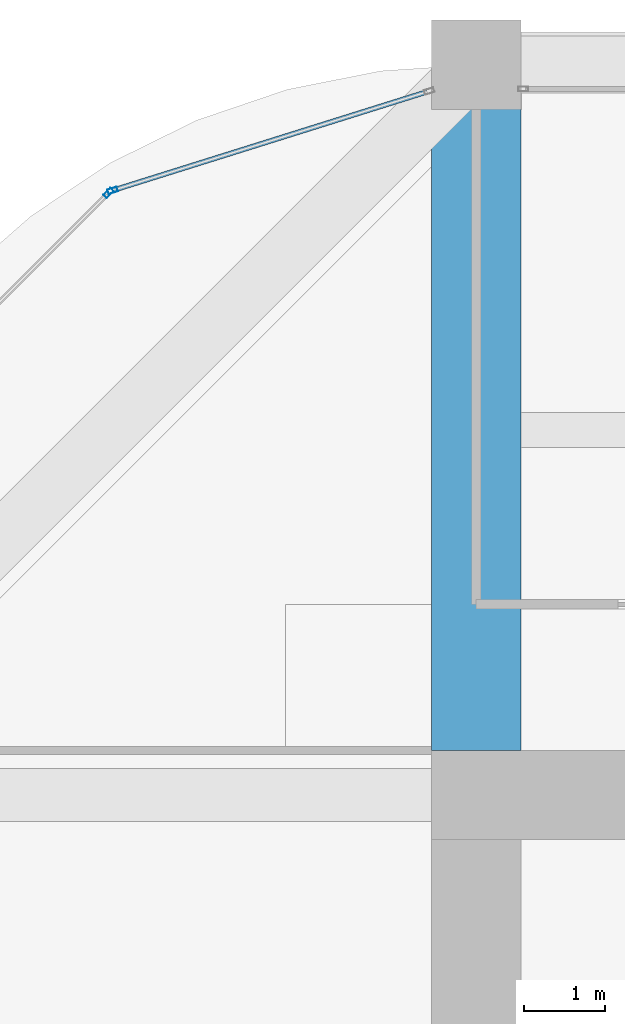
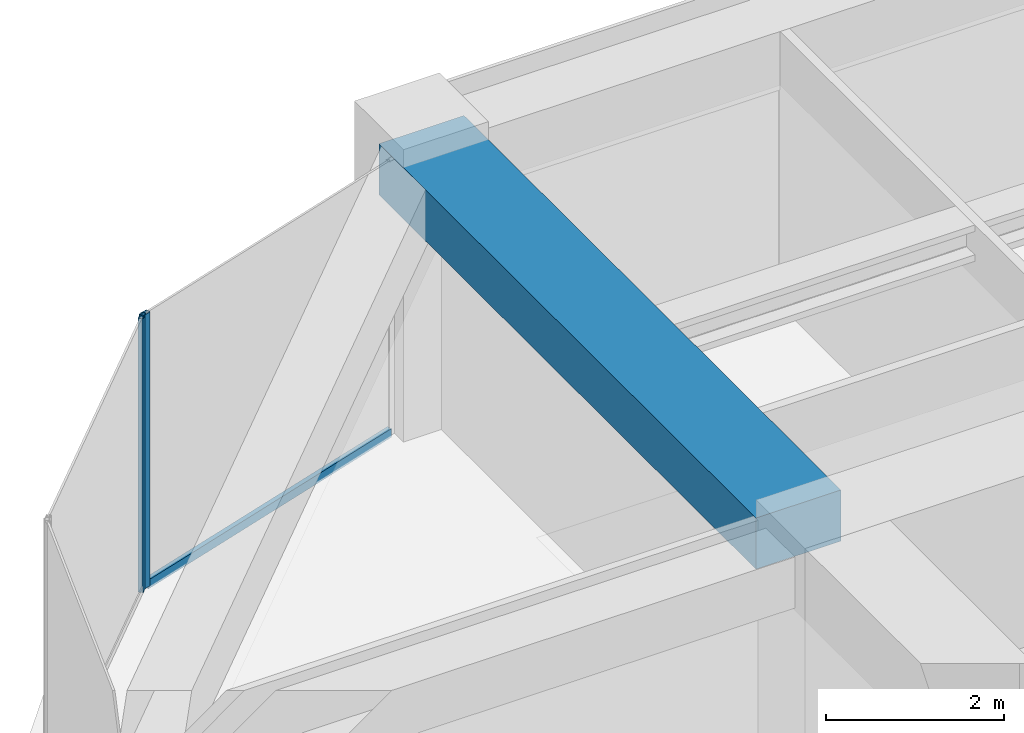
# One storey, part 30 of 44: 3 members, 1 beam, 2 elements without a shape of their own.
"""IFC4 building model written with IfcOpenShell, lengths in metres."""

from ifc_helpers import new_model, si_unit, direction, frame, origin, origin_2d, place, context, subcontext, project, spatial, rectangle, hollow_rectangle, extrude, material, material_profile, profile_set, type_object, element, aggregate, save


model = new_model("IFC4")

# Units and contexts
model_context = context("Model", 3, precision=1e-05, world=origin(), true_north=direction((0.0, 1.0)))
body_context = subcontext(model_context, "Body", "Model", "MODEL_VIEW")
ifc_project = project(units=[si_unit("LENGTHUNIT", "METRE"), si_unit("AREAUNIT", "SQUARE_METRE"), si_unit("VOLUMEUNIT", "CUBIC_METRE"), si_unit("PLANEANGLEUNIT", "RADIAN"), si_unit("MASSUNIT", "GRAM", prefix="KILO")], contexts=[model_context])

# Site, building, storey
site_placement = place(None, origin())
site = spatial("IfcSite", under=ifc_project, at=site_placement, CompositionType="ELEMENT")
building_placement = place(site_placement, origin())
building = spatial("IfcBuilding", under=site, at=building_placement, Name="Zorevar Civic Tower", CompositionType="ELEMENT")
storey_placement = place(building_placement, frame((0.0, 0.0, 299.39990234375)))
storey = spatial("IfcBuildingStorey", under=building, at=storey_placement, Name="L73", CompositionType="ELEMENT", Elevation=299.39990234375)

# Beam
ifc_material_1 = material(Name="Concrete C50/60", Category="concrete")
ifc_material_profile_1 = material_profile(ifc_material_1, rectangle(XDim=1.10009765625, YDim=0.699951171875, at=origin_2d()), Name="RC 1100x700")
ifc_profile_set_1 = profile_set([ifc_material_profile_1], Name="Concrete C50/60")
beam_type = type_object("IfcBeamType", Name="Beam RC 1100x700", PredefinedType="BEAM", material=ifc_profile_set_1)
beam_placement = place(storey_placement, frame((18.0, 36.550048828125, 3.400146484375), z_axis=(0.0, 1.0, 0.0), x_axis=(-1.0, 0.0, 0.0)))
element("IfcBeam", 1, at=beam_placement, inside=storey, type_object=beam_type, Name="Girder L74", PredefinedType="BEAM", context=body_context, shape_type="SweptSolid", body=[
    extrude(rectangle(XDim=1.10009765625, YDim=0.699951171875, at=origin_2d()), origin(), (0.0, 0.0, 1.0), 8.449951171875),
])

# Curtain wall, member
ifc_material_2 = material(Name="Dark grey solar-control glass in black aluminium frame", Category="aluminium")
curtain_wall_type = type_object("IfcCurtainWallType", Name="Curtain wall CW5 top zone", PredefinedType="NOTDEFINED", material=ifc_material_2)
curtain_wall_1_placement = place(storey_placement, origin())
curtain_wall_1 = element("IfcCurtainWall", 2, at=curtain_wall_1_placement, inside=storey, type_object=curtain_wall_type, Name="CW5 L73", PredefinedType="NOTDEFINED")
ifc_material_3 = material(Name="Aluminium, black anodised", Category="aluminium")
ifc_material_profile_2 = material_profile(ifc_material_3, hollow_rectangle(XDim=0.06005859375, YDim=0.1201171875, WallThickness=0.0029296875, at=origin_2d()), Name="AL 120x60x3")
ifc_profile_set_2 = profile_set([ifc_material_profile_2], Name="Aluminium, black anodised")
member_type_1 = type_object("IfcMemberType", Name="CW5 mullion AL 120x60x3", PredefinedType="MULLION", material=ifc_profile_set_2)
member_1_placement = place(storey_placement, frame((13.520751953125, 43.449951171875, 0.0), z_axis=(0.0, 0.0, 1.0), x_axis=(0.299317920238, -0.954153437674, 0.0)))
member_1 = element("IfcMember", 3, at=member_1_placement, type_object=member_type_1, Name="CW5 mullion 2", PredefinedType="MULLION", context=body_context, shape_type="SweptSolid", body=[
    extrude(hollow_rectangle(XDim=0.06005859375, YDim=0.1201171875, WallThickness=0.0029296875, at=origin_2d()), origin(), (0.0, 0.0, 1.0), 3.75),
])

curtain_wall_2_placement = place(storey_placement, origin())
curtain_wall_2 = element("IfcCurtainWall", 4, at=curtain_wall_2_placement, inside=storey, type_object=curtain_wall_type, Name="CW5 L73", PredefinedType="NOTDEFINED")
member_2_placement = place(storey_placement, frame((13.470947265625, 43.419677734375, 0.0), z_axis=(0.0, 0.0, 1.0), x_axis=(0.707106781187, -0.707106781187, 0.0)))
member_2 = element("IfcMember", 5, at=member_2_placement, type_object=member_type_1, Name="CW5 mullion 1", PredefinedType="MULLION", context=body_context, shape_type="SweptSolid", body=[
    extrude(hollow_rectangle(XDim=0.06005859375, YDim=0.1201171875, WallThickness=0.0029296875, at=origin_2d()), origin(), (0.0, 0.0, 1.0), 3.75),
])
aggregate(curtain_wall_2, [member_2])

# Member
ifc_material_4 = material(Name="Aluminium, black anodised", Category="aluminium")
ifc_material_profile_3 = material_profile(ifc_material_4, hollow_rectangle(XDim=0.06005859375, YDim=0.1201171875, WallThickness=0.0029296875, at=origin_2d()), Name="AL 120x60x3")
ifc_profile_set_3 = profile_set([ifc_material_profile_3], Name="Aluminium, black anodised")
member_type_2 = type_object("IfcMemberType", Name="CW5 transom AL 120x60x3", PredefinedType="USERDEFINED", material=ifc_profile_set_3)
member_3_placement = place(storey_placement, frame((17.392822265625, 44.66455078125, 0.030029296875), z_axis=(-0.954163457351, -0.299285978047, 0.0), x_axis=(0.299285978047, -0.954163457351, 0.0)))
member_3 = element("IfcMember", 6, at=member_3_placement, type_object=member_type_2, Name="CW5 sill transom", ObjectType="TRANSOM", PredefinedType="USERDEFINED", context=body_context, shape_type="SweptSolid", body=[
    extrude(hollow_rectangle(XDim=0.06005859375, YDim=0.1201171875, WallThickness=0.0029296875, at=origin_2d()), origin(), (0.0, 0.0, 1.0), 4.028076171875),
])

aggregate(curtain_wall_1, [member_1, member_3])

save(model, "model.ifc")
